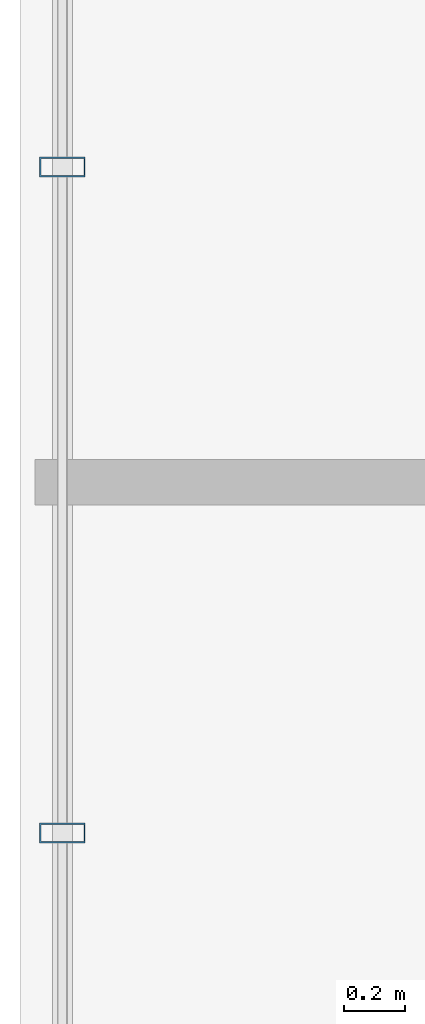
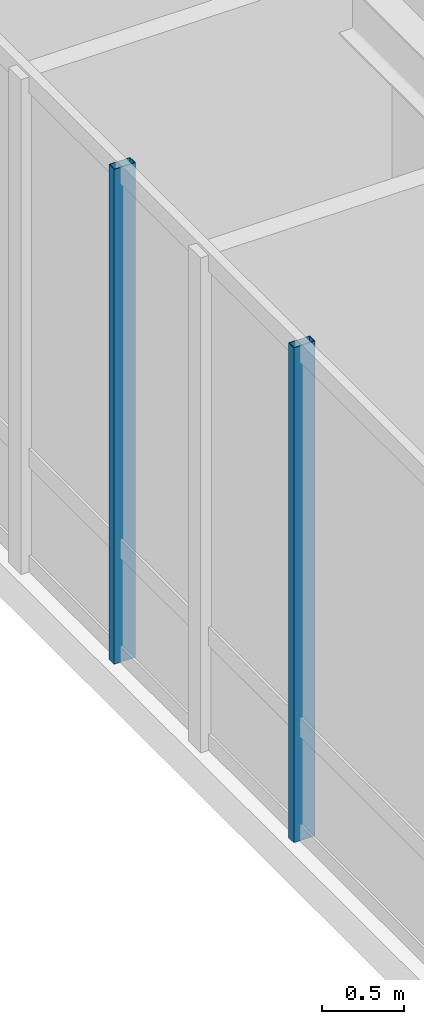
# One storey, part 8 of 24: 2 members, 1 element without a shape of its own.
"""IFC4 building model written with IfcOpenShell, lengths in metres."""

from ifc_helpers import new_model, si_unit, direction, frame, origin, origin_2d, place, context, subcontext, project, spatial, hollow_rectangle, extrude, material, layer, layer_set, material_profile, profile_set, type_object, element, aggregate, save


model = new_model("IFC4")

# Units and contexts
model_context = context("Model", 3, precision=1e-05, world=origin(), true_north=direction((0.0, 1.0)))
body_context = subcontext(model_context, "Body", "Model", "MODEL_VIEW")
ifc_project = project(units=[si_unit("LENGTHUNIT", "METRE"), si_unit("AREAUNIT", "SQUARE_METRE"), si_unit("VOLUMEUNIT", "CUBIC_METRE"), si_unit("PLANEANGLEUNIT", "RADIAN"), si_unit("MASSUNIT", "GRAM", prefix="KILO")], contexts=[model_context])

# Site, building, storey
site_placement = place(None, origin())
site = spatial("IfcSite", under=ifc_project, at=site_placement, CompositionType="ELEMENT")
building_placement = place(site_placement, origin())
building = spatial("IfcBuilding", under=site, at=building_placement, Name="Hatsunagi Terrace Concourse", CompositionType="ELEMENT")
storey_placement = place(building_placement, frame((0.0, 0.0, 285.949951171875)))
storey = spatial("IfcBuildingStorey", under=building, at=storey_placement, Name="L75", CompositionType="ELEMENT", Elevation=285.949951171875)

# Curtain wall, members
ifc_material_1 = material(Name="Anodised Aluminium Alloy 6063-T5", Category="aluminium")
ifc_layer = layer(ifc_material_1, 0.199951171875)
ifc_layer_set = layer_set([ifc_layer], Name="CrownWintergarden_CW06")
curtain_wall_type = type_object("IfcCurtainWallType", Name="CrownWintergarden_CW06", PredefinedType="NOTDEFINED", material=ifc_layer_set)
curtain_wall_placement = place(storey_placement, origin())
curtain_wall = element("IfcCurtainWall", 1, at=curtain_wall_placement, inside=storey, type_object=curtain_wall_type, Name="Unitised Curtain Wall CW-06 CW-L75-07", PredefinedType="NOTDEFINED")
ifc_material_2 = material(Name="Anodised Aluminium Alloy 6063-T5", Category="aluminium")
ifc_material_profile = material_profile(ifc_material_2, hollow_rectangle(XDim=0.06494140625, YDim=0.14990234375, WallThickness=0.00390625, at=origin_2d()), Name="ALU-MUL-150x65x4")
ifc_profile_set = profile_set([ifc_material_profile], Name="Anodised Aluminium Alloy 6063-T5")
member_type = type_object("IfcMemberType", Name="CurtainWallMullion_Crown_150x65", PredefinedType="MULLION", material=ifc_profile_set)
member_1_placement = place(storey_placement, frame((20.5400390625, 32.341064453125, 0.0), z_axis=(0.0, 0.0, 1.0), x_axis=(0.0, 1.0, 0.0)))
member_1 = element("IfcMember", 2, at=member_1_placement, type_object=member_type, Name="Curtain Wall Mullion MUL-03", PredefinedType="MULLION", context=body_context, shape_type="SweptSolid", body=[
    extrude(hollow_rectangle(XDim=0.06494140625, YDim=0.14990234375, WallThickness=0.00390625, at=origin_2d()), origin(), (0.0, 0.0, 1.0), 3.699951171875),
])
member_2_placement = place(storey_placement, frame((20.5400390625, 34.541015625, 0.0), z_axis=(0.0, 0.0, 1.0), x_axis=(0.0, 1.0, 0.0)))
member_2 = element("IfcMember", 3, at=member_2_placement, type_object=member_type, Name="Curtain Wall Mullion MUL-03", PredefinedType="MULLION", context=body_context, shape_type="SweptSolid", body=[
    extrude(hollow_rectangle(XDim=0.06494140625, YDim=0.14990234375, WallThickness=0.00390625, at=origin_2d()), origin(), (0.0, 0.0, 1.0), 3.699951171875),
])
aggregate(curtain_wall, [member_1, member_2])

save(model, "model.ifc")
